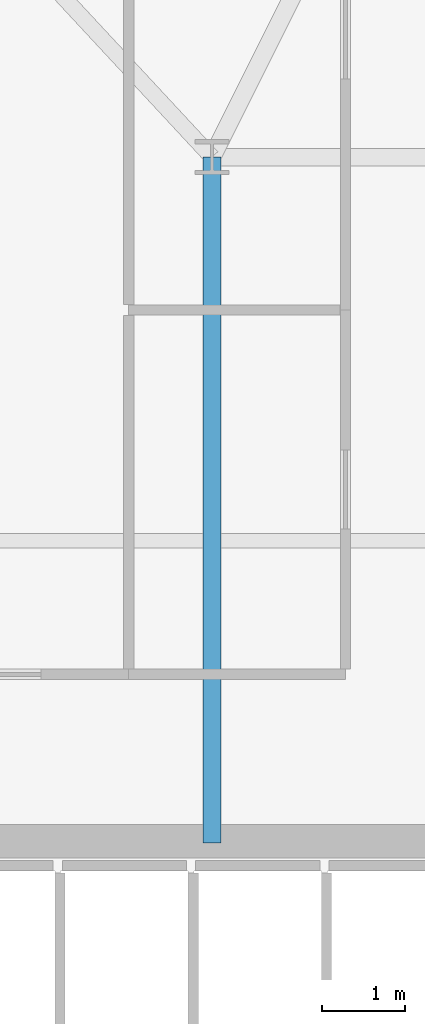
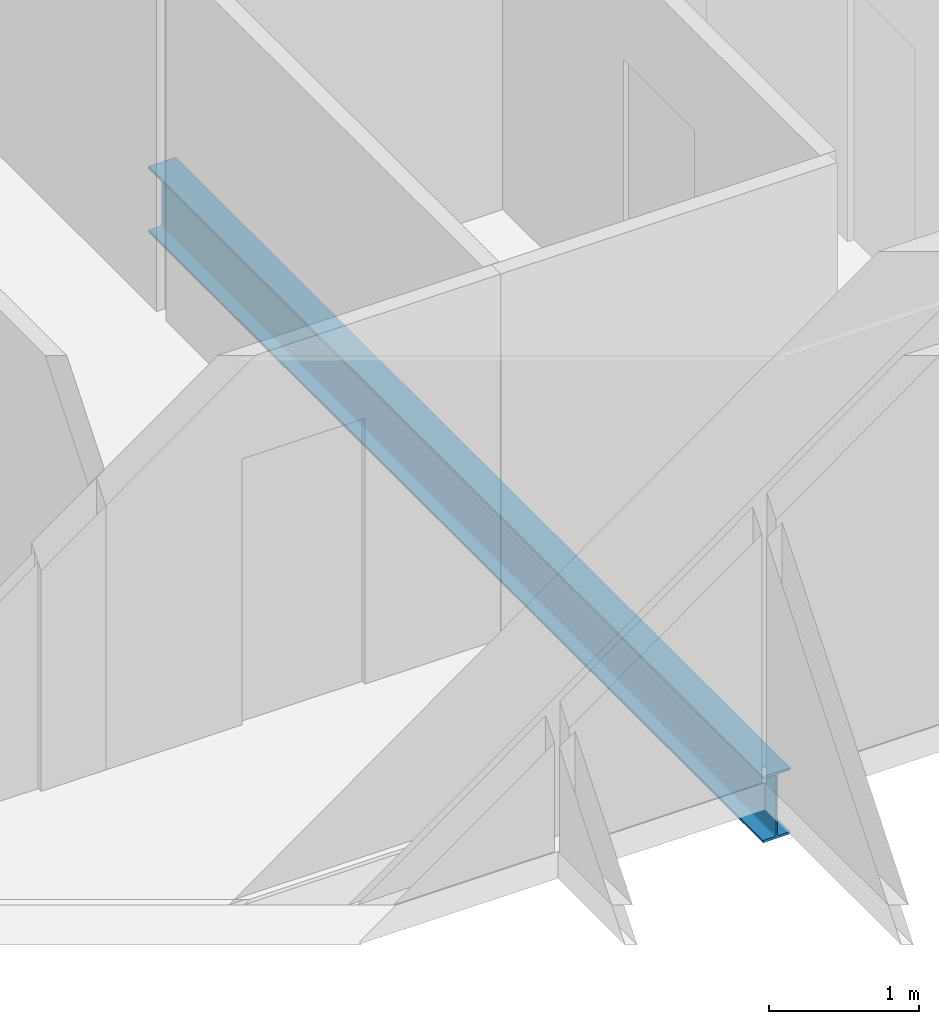
# One storey, part 6 of 33: 1 beam.
"""IFC4 building model written with IfcOpenShell, lengths in metres."""

from ifc_helpers import new_model, si_unit, direction, frame, origin, origin_2d, place, context, subcontext, project, spatial, i_section, extrude, material, material_profile, profile_set, type_object, element, save


model = new_model("IFC4")

# Units and contexts
model_context = context("Model", 3, precision=1e-05, world=origin(), true_north=direction((0.0, 1.0)))
body_context = subcontext(model_context, "Body", "Model", "MODEL_VIEW")
ifc_project = project(units=[si_unit("LENGTHUNIT", "METRE"), si_unit("AREAUNIT", "SQUARE_METRE"), si_unit("VOLUMEUNIT", "CUBIC_METRE"), si_unit("PLANEANGLEUNIT", "RADIAN"), si_unit("MASSUNIT", "GRAM", prefix="KILO")], contexts=[model_context])

# Site, building, storey
site_placement = place(None, origin())
site = spatial("IfcSite", under=ifc_project, at=site_placement, CompositionType="ELEMENT")
building_placement = place(site_placement, origin())
building = spatial("IfcBuilding", under=site, at=building_placement, Name="Ndaravel Arena Tower", CompositionType="ELEMENT")
storey_placement = place(building_placement, frame((0.0, 0.0, 161.199951171875)))
storey = spatial("IfcBuildingStorey", under=building, at=storey_placement, Name="L38", CompositionType="ELEMENT", Elevation=161.199951171875)

# Beam
ifc_material = material(Name="Steel S355", Category="steel")
ifc_material_profile = material_profile(ifc_material, i_section(OverallWidth=0.210693359375, OverallDepth=0.53955078125, WebThickness=0.01171875, FlangeThickness=0.018798828125, FilletRadius=0.0126953125, at=origin_2d()), Name="UB 533x210x109")
ifc_profile_set = profile_set([ifc_material_profile], Name="Steel S355")
beam_type = type_object("IfcBeamType", Name="BM-GIRD-UB533", PredefinedType="BEAM", material=ifc_profile_set)
beam_placement = place(storey_placement, frame((34.199951171875, 14.97998046875, -0.48974609375), z_axis=(0.0, 1.0, 0.0), x_axis=(-1.0, 0.0, 0.0)))
element("IfcBeam", 1, at=beam_placement, inside=storey, type_object=beam_type, Name="L38 Spine Link Girder SLG-01", PredefinedType="BEAM", context=body_context, shape_type="SweptSolid", body=[
    extrude(i_section(OverallWidth=0.210693359375, OverallDepth=0.53955078125, WebThickness=0.01171875, FlangeThickness=0.018798828125, FilletRadius=0.0126953125, at=origin_2d()), origin(), (0.0, 0.0, 1.0), 8.219970703125),
])

save(model, "model.ifc")
